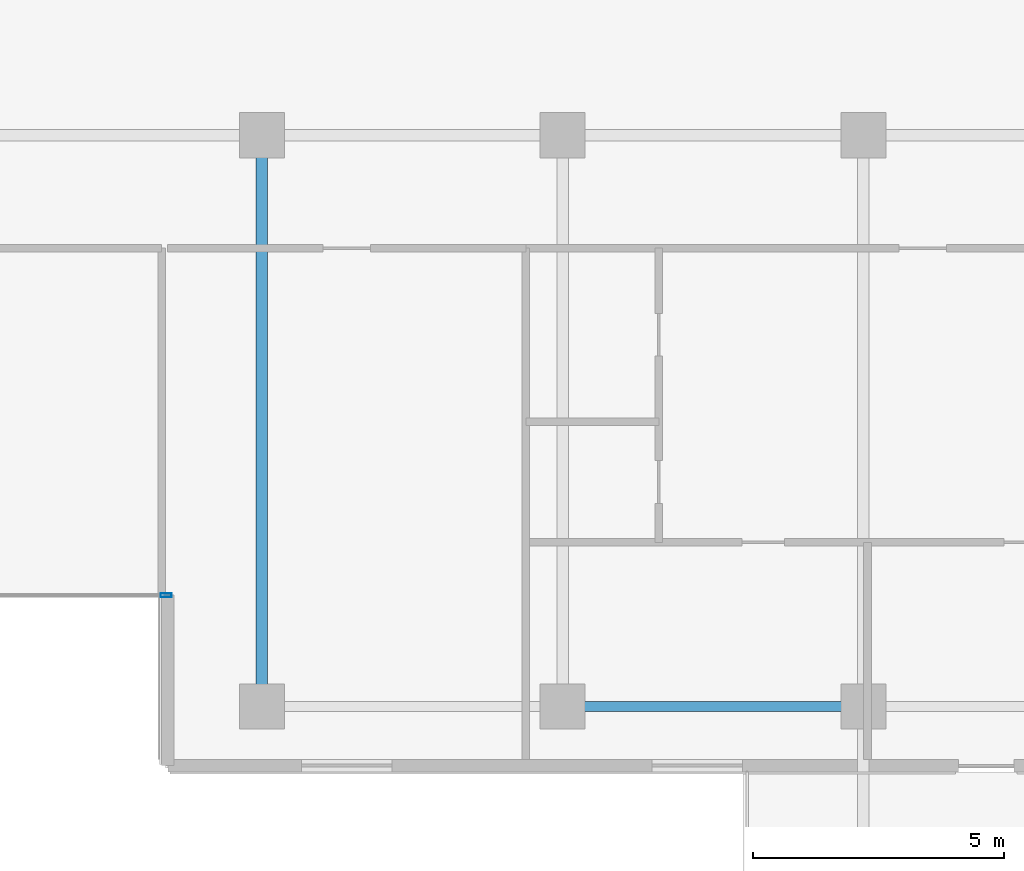
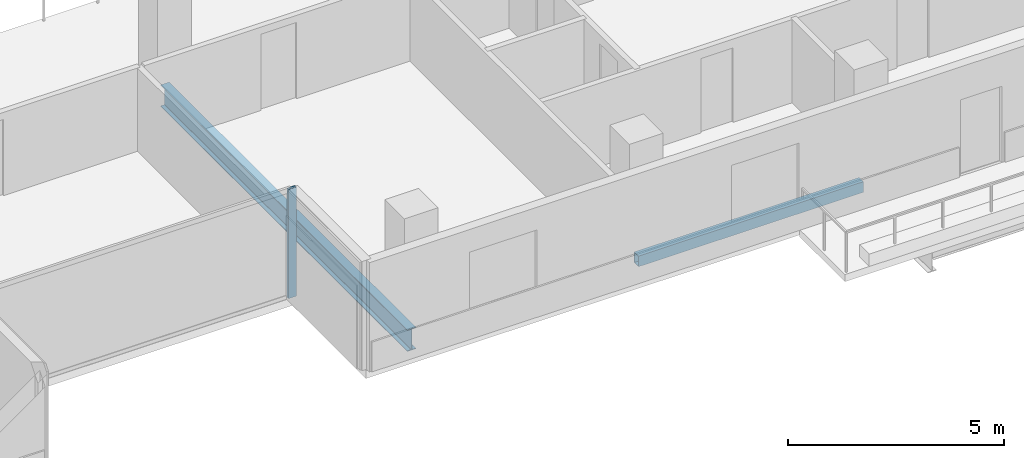
# One storey, part 6 of 29: 2 beams, 1 member, 1 element without a shape of its own.
"""IFC4 building model written with IfcOpenShell, lengths in metres."""

from ifc_helpers import new_model, si_unit, direction, frame, origin, origin_2d, place, context, subcontext, project, spatial, hollow_rectangle, i_section, extrude, material, layer, layer_set, material_profile, profile_set, type_object, element, aggregate, save


model = new_model("IFC4")

# Units and contexts
model_context = context("Model", 3, precision=1e-05, world=origin(), true_north=direction((0.0, 1.0)))
body_context = subcontext(model_context, "Body", "Model", "MODEL_VIEW")
ifc_project = project(units=[si_unit("LENGTHUNIT", "METRE"), si_unit("AREAUNIT", "SQUARE_METRE"), si_unit("VOLUMEUNIT", "CUBIC_METRE"), si_unit("PLANEANGLEUNIT", "RADIAN"), si_unit("MASSUNIT", "GRAM", prefix="KILO")], contexts=[model_context])

# Site, building, storey
site_placement = place(None, origin())
site = spatial("IfcSite", under=ifc_project, at=site_placement, CompositionType="ELEMENT")
building_placement = place(site_placement, origin())
building = spatial("IfcBuilding", under=site, at=building_placement, Name="Tanjung Sevakor Pilgrim Tower", CompositionType="ELEMENT")
storey_placement = place(building_placement, frame((0.0, 0.0, 151.800048828125)))
storey = spatial("IfcBuildingStorey", under=building, at=storey_placement, Name="L42", CompositionType="ELEMENT", Elevation=151.800048828125)

# Beams
ifc_material_1 = material(Name="Steel S355J2", Category="steel")
ifc_material_profile_1 = material_profile(ifc_material_1, i_section(OverallWidth=0.22900390625, OverallDepth=0.6123046875, WebThickness=0.011962890625, FlangeThickness=0.01953125, FilletRadius=0.0126953125, at=origin_2d()))
ifc_profile_set_1 = profile_set([ifc_material_profile_1], Name="Steel S355J2")
beam_type_1 = type_object("IfcBeamType", Name="BM-B-G4-UB_610x229x125", PredefinedType="BEAM", material=ifc_profile_set_1)
beam_1_placement = place(storey_placement, frame((54.0, 13.199951171875, -0.526123046875), z_axis=(0.0, 1.0, 0.0), x_axis=(-1.0, 0.0, 0.0)))
element("IfcBeam", 1, at=beam_1_placement, inside=storey, type_object=beam_type_1, Name="L42 MAIN Girder 006", PredefinedType="BEAM", context=body_context, shape_type="SweptSolid", body=[
    extrude(i_section(OverallWidth=0.22900390625, OverallDepth=0.6123046875, WebThickness=0.011962890625, FlangeThickness=0.01953125, FilletRadius=0.0126953125, at=origin_2d()), origin(), (0.0, 0.0, 1.0), 11.400146484375),
])
ifc_material_2 = material(Name="Steel S355J2", Category="steel")
ifc_material_profile_2 = material_profile(ifc_material_2, hollow_rectangle(XDim=0.199951171875, YDim=0.300048828125, WallThickness=0.012451171875, at=origin_2d()))
ifc_profile_set_2 = profile_set([ifc_material_profile_2], Name="Steel S355J2")
beam_type_2 = type_object("IfcBeamType", Name="BM-B-SP3-RHS_300x200x12.5", PredefinedType="SPANDREL", material=ifc_profile_set_2)
beam_2_placement = place(storey_placement, frame((60.0, 13.199951171875, -0.3701171875), z_axis=(1.0, 0.0, 0.0), x_axis=(0.0, 1.0, 0.0)))
element("IfcBeam", 2, at=beam_2_placement, inside=storey, type_object=beam_type_2, Name="L42 Spandrel MAIN S-09", PredefinedType="SPANDREL", context=body_context, shape_type="SweptSolid", body=[
    extrude(hollow_rectangle(XDim=0.199951171875, YDim=0.300048828125, WallThickness=0.012451171875, at=origin_2d()), origin(), (0.0, 0.0, 1.0), 6.0),
])

# Curtain wall, member
ifc_material_3 = material(Name="Aluminium 6063-T6 and Low-E Glass", Category="aluminium")
ifc_layer = layer(ifc_material_3, 0.179931640625)
ifc_layer_set = layer_set([ifc_layer], Name="CW-SYS-CLEFT")
curtain_wall_type = type_object("IfcCurtainWallType", Name="CW-SYS-CLEFT", PredefinedType="NOTDEFINED", material=ifc_layer_set)
curtain_wall_placement = place(storey_placement, origin())
curtain_wall = element("IfcCurtainWall", 3, at=curtain_wall_placement, inside=storey, type_object=curtain_wall_type, Name="L42 Curtain Wall CW-CLF-L42-2", PredefinedType="NOTDEFINED")
ifc_material_4 = material(Name="Aluminium 6063-T6", Category="aluminium")
ifc_material_profile_3 = material_profile(ifc_material_4, hollow_rectangle(XDim=0.074951171875, YDim=0.219970703125, WallThickness=0.0048828125, at=origin_2d()))
ifc_profile_set_3 = profile_set([ifc_material_profile_3], Name="Aluminium 6063-T6")
member_type = type_object("IfcMemberType", Name="TYPE-CWM-2", PredefinedType="MULLION", material=ifc_profile_set_3)
member_placement = place(storey_placement, frame((52.08740234375, 15.425048828125, 0.0), z_axis=(0.0, 0.0, 1.0), x_axis=(0.0, 1.0, 0.0)))
member = element("IfcMember", 4, at=member_placement, type_object=member_type, Name="CW-CLF mullion 2", PredefinedType="MULLION", context=body_context, shape_type="SweptSolid", body=[
    extrude(hollow_rectangle(XDim=0.074951171875, YDim=0.219970703125, WallThickness=0.0048828125, at=origin_2d()), origin(), (0.0, 0.0, 1.0), 3.079833984375),
])
aggregate(curtain_wall, [member])

save(model, "model.ifc")
